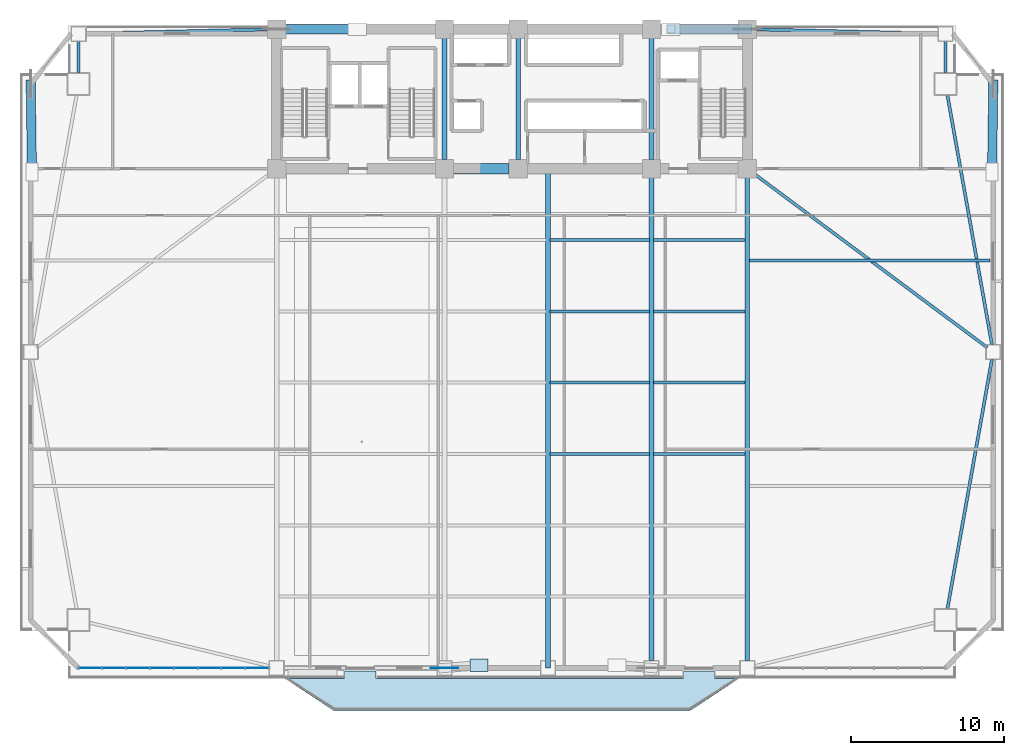
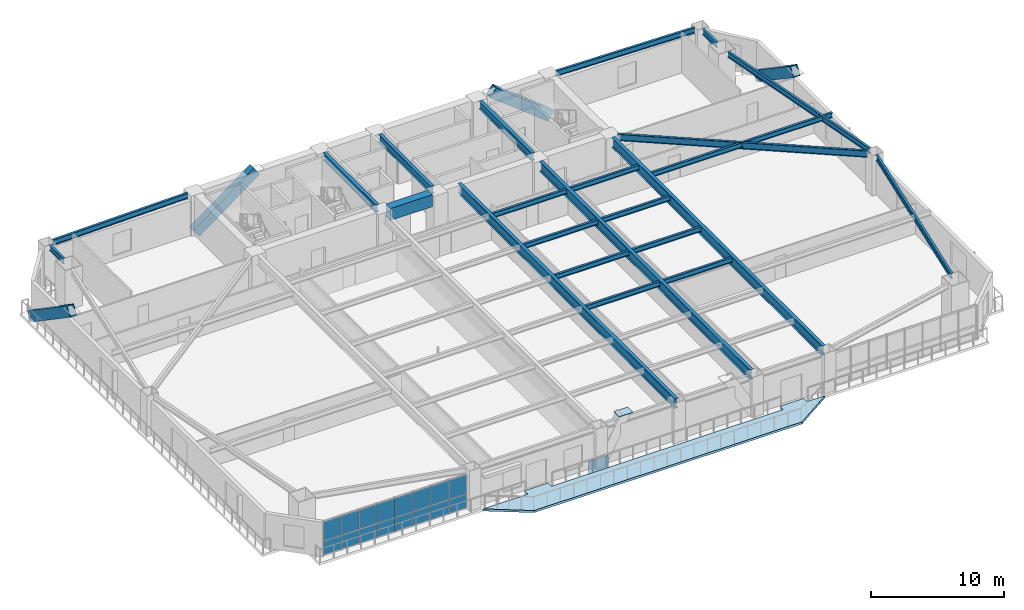
# One storey, part 8 of 18: 23 beams, 18 plates, 4 members, 1 slab, 1 element without a shape of its own.
"""IFC4 building model written with IfcOpenShell, lengths in metres."""

from ifc_helpers import new_model, si_unit, direction, frame, origin, origin_2d, place, context, subcontext, project, spatial, polyline, rectangle, hollow_rectangle, i_section, outline, extrude, source, transform, mapped, material, layer, layer_set, material_profile, profile_set, type_object, element, aggregate, save


model = new_model("IFC4")

# Units and contexts
model_context = context("Model", 3, precision=1e-05, world=origin(), true_north=direction((0.0, 1.0)))
body_context = subcontext(model_context, "Body", "Model", "MODEL_VIEW")
ifc_project = project(units=[si_unit("LENGTHUNIT", "METRE"), si_unit("AREAUNIT", "SQUARE_METRE"), si_unit("VOLUMEUNIT", "CUBIC_METRE"), si_unit("PLANEANGLEUNIT", "RADIAN"), si_unit("MASSUNIT", "GRAM", prefix="KILO")], contexts=[model_context])

# Site, building, storey
site_placement = place(None, origin())
site = spatial("IfcSite", under=ifc_project, at=site_placement, CompositionType="ELEMENT")
building_placement = place(site_placement, origin())
building = spatial("IfcBuilding", under=site, at=building_placement, Name="Giltprow Tower", CompositionType="ELEMENT")
storey_placement = place(building_placement, frame((0.0, 0.0, 61.10009765625)))
storey = spatial("IfcBuildingStorey", under=building, at=storey_placement, Name="L15", CompositionType="ELEMENT", Elevation=61.10009765625)

# Beams
ifc_material_1 = material(Name="Concrete C60", Category="concrete")
ifc_material_profile_1 = material_profile(ifc_material_1, rectangle(XDim=0.699951171875, YDim=1.10009765625, at=origin_2d()), Name="RC 1100x700")
ifc_profile_set_1 = profile_set([ifc_material_profile_1], Name="Concrete C60")
beam_type_1 = type_object("IfcBeamType", Name="BM-CPL-RC1100", PredefinedType="LINTEL", material=ifc_profile_set_1)
shared_shape_1 = source(origin(), body_context, "Body", "SweptSolid", [
    extrude(rectangle(XDim=0.699951171875, YDim=1.10009765625, at=origin_2d()), origin(), (0.0, 0.0, 1.0), 3.6298828125),
])
beam_1_placement = place(storey_placement, frame((31.385009765625, 37.449951171875, 3.1298828125), z_axis=(1.0, 0.0, 0.0), x_axis=(0.0, 1.0, 0.0)))
element("IfcBeam", 1, at=beam_1_placement, inside=storey, type_object=beam_type_1, Name="L15 Core Coupling Beam CB-1", PredefinedType="LINTEL", context=body_context, shape_type="MappedRepresentation", body=[
    mapped(shared_shape_1, transform((0.0, 0.0, 0.0), x_axis=(1.0, 0.0, 0.0), y_axis=(0.0, 1.0, 0.0), z_axis=(0.0, 0.0, 1.0), scale=1.0)),
])
ifc_material_2 = material(Name="Structural steel Q355B", Category="steel")
ifc_material_profile_2 = material_profile(ifc_material_2, i_section(OverallWidth=0.300048828125, OverallDepth=0.699951171875, WebThickness=0.012939453125, FlangeThickness=0.02392578125, at=origin_2d()), Name="HN 700x300x13x24")
ifc_profile_set_2 = profile_set([ifc_material_profile_2], Name="Structural steel Q355B")
beam_type_2 = type_object("IfcBeamType", Name="BM-GIRD-HN700", PredefinedType="BEAM", material=ifc_profile_set_2)
shared_shape_2 = source(origin(), body_context, "Body", "SweptSolid", [
    extrude(i_section(OverallWidth=0.300048828125, OverallDepth=0.699951171875, WebThickness=0.012939453125, FlangeThickness=0.02392578125, at=origin_2d()), origin(), (0.0, 0.0, 1.0), 7.93017578125),
])
for number, where, z_axis, x_axis, name in (
    (2, (30.800048828125, 38.034912109375, 3.329833984375), (0.0, 1.0, 0.0), (-1.0, 0.0, 0.0), "L15 Core Tie Girder M1"),
    (3, (35.60009765625, 38.034912109375, 3.329833984375), (0.0, 1.0, 0.0), (-1.0, 0.0, 0.0), "L15 Core Tie Girder M2"),
    (4, (44.300048828125, 38.034912109375, 3.329833984375), (0.0, 1.0, 0.0), (-1.0, 0.0, 0.0), "L15 Core Tie Girder M3"),
):
    element("IfcBeam", number, at=place(storey_placement, frame(where, z_axis=z_axis, x_axis=x_axis)), inside=storey, type_object=beam_type_2, Name=name, PredefinedType="BEAM", context=body_context, shape_type="MappedRepresentation", body=[
        mapped(shared_shape_2, transform((0.0, 0.0, 0.0), x_axis=(1.0, 0.0, 0.0), y_axis=(0.0, 1.0, 0.0), z_axis=(0.0, 0.0, 1.0), scale=1.0)),
    ])
ifc_material_profile_3 = material_profile(ifc_material_2, i_section(OverallWidth=0.199951171875, OverallDepth=0.449951171875, WebThickness=0.009033203125, FlangeThickness=0.013916015625, at=origin_2d()), Name="HN 450x200x9x14")
ifc_profile_set_3 = profile_set([ifc_material_profile_3], Name="Structural steel Q355B")
beam_type_3 = type_object("IfcBeamType", Name="BM-JOIST-HN450", PredefinedType="JOIST", material=ifc_profile_set_3)
shared_shape_3 = source(origin(), body_context, "Body", "SweptSolid", [
    extrude(i_section(OverallWidth=0.199951171875, OverallDepth=0.449951171875, WebThickness=0.009033203125, FlangeThickness=0.013916015625, at=origin_2d()), origin(), (0.0, 0.0, 1.0), 6.4599609375),
])
for number, where, z_axis, x_axis, name in (
    (5, (37.695068359375, 18.840087890625, 3.454833984375), (1.0, 0.0, 0.0), (0.0, 1.0, 0.0), "L15 Composite Floor Joist 3-3"),
    (6, (37.695068359375, 23.491943359375, 3.454833984375), (1.0, 0.0, 0.0), (0.0, 1.0, 0.0), "L15 Composite Floor Joist 4-3"),
    (7, (37.695068359375, 28.14501953125, 3.454833984375), (1.0, 0.0, 0.0), (0.0, 1.0, 0.0), "L15 Composite Floor Joist 5-3"),
    (8, (37.695068359375, 32.797119140625, 3.454833984375), (1.0, 0.0, 0.0), (0.0, 1.0, 0.0), "L15 Composite Floor Joist 6-3"),
):
    element("IfcBeam", number, at=place(storey_placement, frame(where, z_axis=z_axis, x_axis=x_axis)), inside=storey, type_object=beam_type_3, Name=name, PredefinedType="JOIST", context=body_context, shape_type="MappedRepresentation", body=[
        mapped(shared_shape_3, transform((0.0, 0.0, 0.0), x_axis=(1.0, 0.0, 0.0), y_axis=(0.0, 1.0, 0.0), z_axis=(0.0, 0.0, 1.0), scale=1.0)),
    ])
shared_shape_4 = source(origin(), body_context, "Body", "SweptSolid", [
    extrude(i_section(OverallWidth=0.199951171875, OverallDepth=0.449951171875, WebThickness=0.009033203125, FlangeThickness=0.013916015625, at=origin_2d()), origin(), (0.0, 0.0, 1.0), 5.9599609375),
])
for number, where, z_axis, x_axis, name in (
    (9, (44.445068359375, 18.840087890625, 3.454833984375), (1.0, 0.0, 0.0), (0.0, 1.0, 0.0), "L15 Composite Floor Joist 3-4"),
    (10, (44.445068359375, 23.491943359375, 3.454833984375), (1.0, 0.0, 0.0), (0.0, 1.0, 0.0), "L15 Composite Floor Joist 4-4"),
    (11, (44.445068359375, 28.14501953125, 3.454833984375), (1.0, 0.0, 0.0), (0.0, 1.0, 0.0), "L15 Composite Floor Joist 5-4"),
    (12, (44.445068359375, 32.797119140625, 3.454833984375), (1.0, 0.0, 0.0), (0.0, 1.0, 0.0), "L15 Composite Floor Joist 6-4"),
):
    element("IfcBeam", number, at=place(storey_placement, frame(where, z_axis=z_axis, x_axis=x_axis)), inside=storey, type_object=beam_type_3, Name=name, PredefinedType="JOIST", context=body_context, shape_type="MappedRepresentation", body=[
        mapped(shared_shape_4, transform((0.0, 0.0, 0.0), x_axis=(1.0, 0.0, 0.0), y_axis=(0.0, 1.0, 0.0), z_axis=(0.0, 0.0, 1.0), scale=1.0)),
    ])
ifc_material_profile_4 = material_profile(ifc_material_2, i_section(OverallWidth=0.300048828125, OverallDepth=0.89990234375, WebThickness=0.01611328125, FlangeThickness=0.028076171875, at=origin_2d()), Name="HN 900x300x16x28")
ifc_profile_set_4 = profile_set([ifc_material_profile_4], Name="Structural steel Q355B")
beam_type_4 = type_object("IfcBeamType", Name="BM-GIRD-HN900", PredefinedType="BEAM", material=ifc_profile_set_4)
shared_shape_5 = source(origin(), body_context, "Body", "SweptSolid", [
    extrude(i_section(OverallWidth=0.300048828125, OverallDepth=0.89990234375, WebThickness=0.01611328125, FlangeThickness=0.028076171875, at=origin_2d()), origin(), (0.0, 0.0, 1.0), 32.56787109375),
])
beam_2_placement = place(storey_placement, frame((37.550048828125, 4.882080078125, 3.22998046875), z_axis=(0.0, 1.0, 0.0), x_axis=(-1.0, 0.0, 0.0)))
element("IfcBeam", 13, at=beam_2_placement, inside=storey, type_object=beam_type_4, Name="L15 Central Lease Girder SMID", PredefinedType="BEAM", context=body_context, shape_type="MappedRepresentation", body=[
    mapped(shared_shape_5, transform((0.0, 0.0, 0.0), x_axis=(1.0, 0.0, 0.0), y_axis=(0.0, 1.0, 0.0), z_axis=(0.0, 0.0, 1.0), scale=1.0)),
])
shared_shape_6 = source(origin(), body_context, "Body", "SweptSolid", [
    extrude(i_section(OverallWidth=0.199951171875, OverallDepth=0.449951171875, WebThickness=0.009033203125, FlangeThickness=0.013916015625, at=origin_2d()), origin(), (0.0, 0.0, 1.0), 15.680908203125),
])
beam_3_placement = place(storey_placement, frame((50.695068359375, 31.470947265625, 3.454833984375), z_axis=(1.0, 0.0, 0.0), x_axis=(0.0, 1.0, 0.0)))
element("IfcBeam", 14, at=beam_3_placement, inside=storey, type_object=beam_type_3, Name="L15 East Wing Floor Joist 2", PredefinedType="JOIST", context=body_context, shape_type="MappedRepresentation", body=[
    mapped(shared_shape_6, transform((0.0, 0.0, 0.0), x_axis=(1.0, 0.0, 0.0), y_axis=(0.0, 1.0, 0.0), z_axis=(0.0, 0.0, 1.0), scale=1.0)),
])
ifc_material_profile_5 = material_profile(ifc_material_2, i_section(OverallWidth=0.199951171875, OverallDepth=0.5, WebThickness=0.010009765625, FlangeThickness=0.01611328125, at=origin_2d()), Name="HN 500x200x10x16")
ifc_profile_set_5 = profile_set([ifc_material_profile_5], Name="Structural steel Q355B")
beam_type_5 = type_object("IfcBeamType", Name="BM-SPAN-HN500", PredefinedType="SPANDREL", material=ifc_profile_set_5)
shared_shape_7 = source(origin(), body_context, "Body", "SweptSolid", [
    extrude(i_section(OverallWidth=0.199951171875, OverallDepth=0.5, WebThickness=0.010009765625, FlangeThickness=0.01611328125, at=origin_2d()), origin(), (0.0, 0.0, 1.0), 16.54345703125),
])
for number, where, z_axis, x_axis, name in (
    (15, (63.60302734375, 8.72802734375, 3.429931640625), (0.175776847753, 0.984430038039, 0.0), (-0.984430038039, 0.175776847753, 0.0), "L15 Perimeter Spandrel Beam MC_SE-E_MID"),
    (16, (66.510986328125, 25.968017578125, 3.429931640625), (-0.175776847753, 0.984430038039, 0.0), (-0.984430038039, -0.175776847753, 0.0), "L15 Perimeter Spandrel Beam E_MID-MC_NE"),
):
    element("IfcBeam", number, at=place(storey_placement, frame(where, z_axis=z_axis, x_axis=x_axis)), inside=storey, type_object=beam_type_5, Name=name, PredefinedType="SPANDREL", context=body_context, shape_type="MappedRepresentation", body=[
        mapped(shared_shape_7, transform((0.0, 0.0, 0.0), x_axis=(1.0, 0.0, 0.0), y_axis=(0.0, 1.0, 0.0), z_axis=(0.0, 0.0, 1.0), scale=1.0)),
    ])
shared_shape_8 = source(origin(), body_context, "Body", "SweptSolid", [
    extrude(i_section(OverallWidth=0.199951171875, OverallDepth=0.5, WebThickness=0.010009765625, FlangeThickness=0.01611328125, at=origin_2d()), origin(), (0.0, 0.0, 1.0), 2.052001953125),
])
for number, where, z_axis, x_axis, name in (
    (17, (63.47412109375, 43.712890625, 3.429931640625), (0.0, 1.0, 0.0), (-1.0, 0.0, 0.0), "L15 Perimeter Spandrel Beam MC_NE-N_E"),
    (18, (6.927001953125, 45.764892578125, 3.429931640625), (0.0, -1.0, 0.0), (1.0, 0.0, 0.0), "L15 Perimeter Spandrel Beam N_W-MC_NW"),
):
    element("IfcBeam", number, at=place(storey_placement, frame(where, z_axis=z_axis, x_axis=x_axis)), inside=storey, type_object=beam_type_5, Name=name, PredefinedType="SPANDREL", context=body_context, shape_type="MappedRepresentation", body=[
        mapped(shared_shape_8, transform((0.0, 0.0, 0.0), x_axis=(1.0, 0.0, 0.0), y_axis=(0.0, 1.0, 0.0), z_axis=(0.0, 0.0, 1.0), scale=1.0)),
    ])
shared_shape_9 = source(origin(), body_context, "Body", "SweptSolid", [
    extrude(i_section(OverallWidth=0.199951171875, OverallDepth=0.5, WebThickness=0.010009765625, FlangeThickness=0.01611328125, at=origin_2d()), origin(), (0.0, 0.0, 1.0), 11.85595703125),
])
beam_4_placement = place(storey_placement, frame((7.412109375, 46.260986328125, 3.429931640625), z_axis=(0.999731149382, 0.02318682721, 0.0), x_axis=(-0.02318682721, 0.999731149382, 0.0)))
element("IfcBeam", 19, at=beam_4_placement, inside=storey, type_object=beam_type_5, Name="L15 North Wing Spandrel W", PredefinedType="SPANDREL", context=body_context, shape_type="MappedRepresentation", body=[
    mapped(shared_shape_9, transform((0.0, 0.0, 0.0), x_axis=(1.0, 0.0, 0.0), y_axis=(0.0, 1.0, 0.0), z_axis=(0.0, 0.0, 1.0), scale=1.0)),
])
shared_shape_10 = source(origin(), body_context, "Body", "SweptSolid", [
    extrude(i_section(OverallWidth=0.199951171875, OverallDepth=0.5, WebThickness=0.010009765625, FlangeThickness=0.01611328125, at=origin_2d()), origin(), (0.0, 0.0, 1.0), 11.857177734375),
])
beam_5_placement = place(storey_placement, frame((51.135009765625, 46.535888671875, 3.429931640625), z_axis=(0.999731204728, -0.023184440757, 0.0), x_axis=(0.023184440757, 0.999731204728, 0.0)))
element("IfcBeam", 20, at=beam_5_placement, inside=storey, type_object=beam_type_5, Name="L15 North Wing Spandrel E", PredefinedType="SPANDREL", context=body_context, shape_type="MappedRepresentation", body=[
    mapped(shared_shape_10, transform((0.0, 0.0, 0.0), x_axis=(1.0, 0.0, 0.0), y_axis=(0.0, 1.0, 0.0), z_axis=(0.0, 0.0, 1.0), scale=1.0)),
])
shared_shape_11 = source(origin(), body_context, "Body", "SweptSolid", [
    extrude(i_section(OverallWidth=0.300048828125, OverallDepth=0.89990234375, WebThickness=0.01611328125, FlangeThickness=0.028076171875, at=origin_2d()), origin(), (0.0, 0.0, 1.0), 31.498046875),
])
for number, where, z_axis, x_axis, name in (
    (21, (44.300048828125, 5.366943359375, 3.22998046875), (0.0, 1.0, 0.0), (-1.0, 0.0, 0.0), "L15 Primary Lease Girder S3"),
    (22, (50.550048828125, 5.366943359375, 3.22998046875), (0.0, 1.0, 0.0), (-1.0, 0.0, 0.0), "L15 Primary Lease Girder S4"),
):
    element("IfcBeam", number, at=place(storey_placement, frame(where, z_axis=z_axis, x_axis=x_axis)), inside=storey, type_object=beam_type_4, Name=name, PredefinedType="BEAM", context=body_context, shape_type="MappedRepresentation", body=[
        mapped(shared_shape_11, transform((0.0, 0.0, 0.0), x_axis=(1.0, 0.0, 0.0), y_axis=(0.0, 1.0, 0.0), z_axis=(0.0, 0.0, 1.0), scale=1.0)),
    ])
ifc_material_profile_6 = material_profile(ifc_material_2, i_section(OverallWidth=0.199951171875, OverallDepth=0.60009765625, WebThickness=0.010986328125, FlangeThickness=0.01708984375, at=origin_2d()), Name="HN 600x200x11x17")
ifc_profile_set_6 = profile_set([ifc_material_profile_6], Name="Structural steel Q355B")
beam_type_6 = type_object("IfcBeamType", Name="BM-GIRD-HN600", PredefinedType="BEAM", material=ifc_profile_set_6)
shared_shape_12 = source(origin(), body_context, "Body", "SweptSolid", [
    extrude(i_section(OverallWidth=0.199951171875, OverallDepth=0.60009765625, WebThickness=0.010986328125, FlangeThickness=0.01708984375, at=origin_2d()), origin(), (0.0, 0.0, 1.0), 18.94189453125),
])
beam_6_placement = place(storey_placement, frame((66.20703125, 25.781005859375, 3.3798828125), z_axis=(-0.801818286045, 0.59756793435, 0.0), x_axis=(-0.59756793435, -0.801818286045, 0.0)))
element("IfcBeam", 23, at=beam_6_placement, inside=storey, type_object=beam_type_6, Name="L15 East Wing Primary Girder", PredefinedType="BEAM", context=body_context, shape_type="MappedRepresentation", body=[
    mapped(shared_shape_12, transform((0.0, 0.0, 0.0), x_axis=(1.0, 0.0, 0.0), y_axis=(0.0, 1.0, 0.0), z_axis=(0.0, 0.0, 1.0), scale=1.0)),
])

# Members
ifc_material_3 = material(Name="Structural steel Q420GJC", Category="steel")
ifc_material_profile_7 = material_profile(ifc_material_3, hollow_rectangle(XDim=0.60009765625, YDim=0.89990234375, WallThickness=0.0400390625, at=origin_2d()), Name="RHS 900x600x40")
ifc_profile_set_7 = profile_set([ifc_material_profile_7], Name="Structural steel Q420GJC")
member_type = type_object("IfcMemberType", Name="MBR-MEGA-RHS900", PredefinedType="BRACE", material=ifc_profile_set_7)
shared_shape_13 = source(origin(), body_context, "Body", "SweptSolid", [
    extrude(hollow_rectangle(XDim=0.60009765625, YDim=0.89990234375, WallThickness=0.0400390625, at=origin_2d()), origin(), (0.0, 0.0, 1.0), 6.5400390625),
])
member_1_placement = place(storey_placement, frame((19.85009765625, 46.550048828125, -0.14013671875), z_axis=(0.802733126154, 0.0, 0.596338434259), x_axis=(0.0, 1.0, 0.0)))
element("IfcMember", 24, at=member_1_placement, inside=storey, type_object=member_type, Name="L15 Chevron Mega-Brace N-L", PredefinedType="BRACE", context=body_context, shape_type="MappedRepresentation", body=[
    mapped(shared_shape_13, transform((0.0, 0.0, 0.0), x_axis=(1.0, 0.0, 0.0), y_axis=(0.0, 1.0, 0.0), z_axis=(0.0, 0.0, 1.0), scale=1.0)),
])
shared_shape_14 = source(origin(), body_context, "Body", "SweptSolid", [
    extrude(hollow_rectangle(XDim=0.60009765625, YDim=0.89990234375, WallThickness=0.0400390625, at=origin_2d()), origin(), (0.0, 0.0, 1.0), 6.327880859375),
])
member_2_placement = place(storey_placement, frame((50.550048828125, 46.550048828125, -0.14013671875), z_axis=(-0.787483018661, 0.0, 0.61633634918), x_axis=(0.0, -1.0, 0.0)))
element("IfcMember", 25, at=member_2_placement, inside=storey, type_object=member_type, Name="L15 Chevron Mega-Brace N-R", PredefinedType="BRACE", context=body_context, shape_type="MappedRepresentation", body=[
    mapped(shared_shape_14, transform((0.0, 0.0, 0.0), x_axis=(1.0, 0.0, 0.0), y_axis=(0.0, 1.0, 0.0), z_axis=(0.0, 0.0, 1.0), scale=1.0)),
])
shared_shape_15 = source(origin(), body_context, "Body", "SweptSolid", [
    extrude(hollow_rectangle(XDim=0.60009765625, YDim=0.89990234375, WallThickness=0.0400390625, at=origin_2d()), origin(), (0.0, 0.0, 1.0), 6.940673828125),
])
for number, where, z_axis, x_axis, name in (
    (26, (3.804931640625, 42.97802734375, 0.0), (0.011255984563, -0.827138990645, 0.56188467942), (0.999907419466, 0.013607075238, 0.0), "L15 Chevron Mega-Brace W-R"),
    (27, (66.595947265625, 42.97802734375, 0.0), (-0.011220814047, -0.827139317621, 0.561884901539), (0.999907997111, -0.013564560964, 0.0), "L15 Chevron Mega-Brace E-R"),
):
    element("IfcMember", number, at=place(storey_placement, frame(where, z_axis=z_axis, x_axis=x_axis)), inside=storey, type_object=member_type, Name=name, PredefinedType="BRACE", context=body_context, shape_type="MappedRepresentation", body=[
        mapped(shared_shape_15, transform((0.0, 0.0, 0.0), x_axis=(1.0, 0.0, 0.0), y_axis=(0.0, 1.0, 0.0), z_axis=(0.0, 0.0, 1.0), scale=1.0)),
    ])

# Slab
ifc_material_4 = material(Name="Concrete C40", Category="concrete")
ifc_layer_1 = layer(ifc_material_4, 0.199951171875, Name="Concrete C40")
ifc_layer_set_1 = layer_set([ifc_layer_1], Name="Concrete C40")
slab_type = type_object("IfcSlabType", Name="SLB-BALC-BRONZE-200", PredefinedType="FLOOR", material=ifc_layer_set_1)
slab_placement = place(storey_placement, frame((0.0, 0.0, -0.2001953125)))
element("IfcSlab", 28, at=slab_placement, inside=storey, type_object=slab_type, Name="L15 Bronze Prow Waterfront Balcony Slab", PredefinedType="FLOOR", context=body_context, shape_type="SweptSolid", body=[
    extrude(outline(polyline([(50.0, 4.181884765625), (46.800048828125, 2.08203125), (23.60009765625, 2.08203125), (20.39990234375, 4.181884765625), (24.280029296875, 4.181884765625), (24.280029296875, 4.681884765625), (26.320068359375, 4.681884765625), (26.320068359375, 4.181884765625), (46.3798828125, 4.181884765625), (46.3798828125, 4.681884765625), (48.419921875, 4.681884765625), (48.419921875, 4.181884765625), (50.0, 4.181884765625)])), origin(), (0.0, 0.0, 1.0), 0.2001953125),
])

# Plates
plate_type_1 = type_object("IfcPlateType", Name="PLT-NODE-MBN1", PredefinedType="USERDEFINED", material=ifc_material_3)
shared_shape_16 = source(origin(), body_context, "Body", "SweptSolid", [
    extrude(rectangle(XDim=1.800048828125, YDim=0.050048828125, at=origin_2d()), origin(), (0.0, 0.0, 1.0), 1.14990234375),
])
plate_1_placement = place(storey_placement, frame((30.800048828125, 4.882080078125, -0.574951171875), z_axis=(0.0, 0.0, 1.0), x_axis=(1.0, 0.0, 0.0)))
element("IfcPlate", 29, at=plate_1_placement, inside=storey, type_object=plate_type_1, Name="Mega-Brace Node L15-S-LA", ObjectType="GUSSET", PredefinedType="USERDEFINED", context=body_context, shape_type="MappedRepresentation", body=[
    mapped(shared_shape_16, transform((0.0, 0.0, 0.0), x_axis=(1.0, 0.0, 0.0), y_axis=(0.0, 1.0, 0.0), z_axis=(0.0, 0.0, 1.0), scale=1.0)),
])
plate_type_2 = type_object("IfcPlateType", Name="PLT-CAP-SEAL", PredefinedType="USERDEFINED", material=ifc_material_3)
shared_shape_17 = source(origin(), body_context, "Body", "SweptSolid", [
    extrude(rectangle(XDim=1.199951171875, YDim=0.800048828125, at=origin_2d()), origin(), (0.0, 0.0, 1.0), 0.034912109375),
])
plate_2_placement = place(storey_placement, frame((33.050048828125, 5.05810546875, 3.88232421875), z_axis=(0.0, 0.0, 1.0), x_axis=(1.0, 0.0, 0.0)))
element("IfcPlate", 30, at=plate_2_placement, inside=storey, type_object=plate_type_2, Name="Mega-Brace Node L15-S-LB", ObjectType="SPLICE", PredefinedType="USERDEFINED", context=body_context, shape_type="MappedRepresentation", body=[
    mapped(shared_shape_17, transform((0.0, 0.0, 0.0), x_axis=(1.0, 0.0, 0.0), y_axis=(0.0, 1.0, 0.0), z_axis=(0.0, 0.0, 1.0), scale=1.0)),
])

# Curtain wall, plates
ifc_material_5 = material(Name="Anodized bronze", Category="metal")
ifc_layer_2 = layer(ifc_material_5, 0.179931640625, Name="Anodized bronze")
ifc_layer_set_2 = layer_set([ifc_layer_2], Name="Anodized bronze")
curtain_wall_type = type_object("IfcCurtainWallType", Name="CW-OFF-RECESSED", PredefinedType="NOTDEFINED", material=ifc_layer_set_2)
curtain_wall_placement = place(storey_placement, origin())
curtain_wall = element("IfcCurtainWall", 31, at=curtain_wall_placement, inside=storey, type_object=curtain_wall_type, Name="L15 South Recessed Curtain Wall 1", PredefinedType="NOTDEFINED")
ifc_material_6 = material(Name="Insulated glass", Category="glass")
plate_type_3 = type_object("IfcPlateType", Name="CW-PANEL-IGU-28", PredefinedType="CURTAIN_PANEL", material=ifc_material_6)
shared_shape_18 = source(origin(), body_context, "Body", "SweptSolid", [
    extrude(rectangle(XDim=1.52294921875, YDim=0.028076171875, at=origin_2d()), origin(), (0.0, 0.0, 1.0), 1.259033203125),
])
plate_3_placement = place(storey_placement, frame((7.702880859375, 4.882080078125, 0.05419921875), z_axis=(0.0, 0.0, 1.0), x_axis=(1.0, 0.0, 0.0)))
plate_3 = element("IfcPlate", 32, at=plate_3_placement, type_object=plate_type_3, Name="L15 South Recessed Curtain Wall 1 Glazing Panel 1-1", PredefinedType="CURTAIN_PANEL", context=body_context, shape_type="MappedRepresentation", body=[
    mapped(shared_shape_18, transform((0.0, 0.0, 0.0), x_axis=(1.0, 0.0, 0.0), y_axis=(0.0, 1.0, 0.0), z_axis=(0.0, 0.0, 1.0), scale=1.0)),
])
plate_4_placement = place(storey_placement, frame((9.256103515625, 4.882080078125, 0.05419921875), z_axis=(0.0, 0.0, 1.0), x_axis=(1.0, 0.0, 0.0)))
plate_4 = element("IfcPlate", 33, at=plate_4_placement, type_object=plate_type_3, Name="L15 South Recessed Curtain Wall 1 Glazing Panel 2-1", PredefinedType="CURTAIN_PANEL", context=body_context, shape_type="MappedRepresentation", body=[
    mapped(shared_shape_18, transform((0.0, 0.0, 0.0), x_axis=(1.0, 0.0, 0.0), y_axis=(0.0, 1.0, 0.0), z_axis=(0.0, 0.0, 1.0), scale=1.0)),
])
plate_5_placement = place(storey_placement, frame((10.80908203125, 4.882080078125, 0.05419921875), z_axis=(0.0, 0.0, 1.0), x_axis=(1.0, 0.0, 0.0)))
plate_5 = element("IfcPlate", 34, at=plate_5_placement, type_object=plate_type_3, Name="L15 South Recessed Curtain Wall 1 Glazing Panel 3-1", PredefinedType="CURTAIN_PANEL", context=body_context, shape_type="MappedRepresentation", body=[
    mapped(shared_shape_18, transform((0.0, 0.0, 0.0), x_axis=(1.0, 0.0, 0.0), y_axis=(0.0, 1.0, 0.0), z_axis=(0.0, 0.0, 1.0), scale=1.0)),
])
plate_6_placement = place(storey_placement, frame((12.362060546875, 4.882080078125, 0.05419921875), z_axis=(0.0, 0.0, 1.0), x_axis=(1.0, 0.0, 0.0)))
plate_6 = element("IfcPlate", 35, at=plate_6_placement, type_object=plate_type_3, Name="L15 South Recessed Curtain Wall 1 Glazing Panel 4-1", PredefinedType="CURTAIN_PANEL", context=body_context, shape_type="MappedRepresentation", body=[
    mapped(shared_shape_18, transform((0.0, 0.0, 0.0), x_axis=(1.0, 0.0, 0.0), y_axis=(0.0, 1.0, 0.0), z_axis=(0.0, 0.0, 1.0), scale=1.0)),
])
plate_7_placement = place(storey_placement, frame((13.9150390625, 4.882080078125, 0.05419921875), z_axis=(0.0, 0.0, 1.0), x_axis=(1.0, 0.0, 0.0)))
plate_7 = element("IfcPlate", 36, at=plate_7_placement, type_object=plate_type_3, Name="L15 South Recessed Curtain Wall 1 Glazing Panel 5-1", PredefinedType="CURTAIN_PANEL", context=body_context, shape_type="MappedRepresentation", body=[
    mapped(shared_shape_18, transform((0.0, 0.0, 0.0), x_axis=(1.0, 0.0, 0.0), y_axis=(0.0, 1.0, 0.0), z_axis=(0.0, 0.0, 1.0), scale=1.0)),
])
plate_8_placement = place(storey_placement, frame((15.468017578125, 4.882080078125, 0.05419921875), z_axis=(0.0, 0.0, 1.0), x_axis=(1.0, 0.0, 0.0)))
plate_8 = element("IfcPlate", 37, at=plate_8_placement, type_object=plate_type_3, Name="L15 South Recessed Curtain Wall 1 Glazing Panel 6-1", PredefinedType="CURTAIN_PANEL", context=body_context, shape_type="MappedRepresentation", body=[
    mapped(shared_shape_18, transform((0.0, 0.0, 0.0), x_axis=(1.0, 0.0, 0.0), y_axis=(0.0, 1.0, 0.0), z_axis=(0.0, 0.0, 1.0), scale=1.0)),
])
plate_9_placement = place(storey_placement, frame((17.02099609375, 4.882080078125, 0.05419921875), z_axis=(0.0, 0.0, 1.0), x_axis=(1.0, 0.0, 0.0)))
plate_9 = element("IfcPlate", 38, at=plate_9_placement, type_object=plate_type_3, Name="L15 South Recessed Curtain Wall 1 Glazing Panel 7-1", PredefinedType="CURTAIN_PANEL", context=body_context, shape_type="MappedRepresentation", body=[
    mapped(shared_shape_18, transform((0.0, 0.0, 0.0), x_axis=(1.0, 0.0, 0.0), y_axis=(0.0, 1.0, 0.0), z_axis=(0.0, 0.0, 1.0), scale=1.0)),
])
plate_10_placement = place(storey_placement, frame((18.573974609375, 4.882080078125, 0.05419921875), z_axis=(0.0, 0.0, 1.0), x_axis=(1.0, 0.0, 0.0)))
plate_10 = element("IfcPlate", 39, at=plate_10_placement, type_object=plate_type_3, Name="L15 South Recessed Curtain Wall 1 Glazing Panel 8-1", PredefinedType="CURTAIN_PANEL", context=body_context, shape_type="MappedRepresentation", body=[
    mapped(shared_shape_18, transform((0.0, 0.0, 0.0), x_axis=(1.0, 0.0, 0.0), y_axis=(0.0, 1.0, 0.0), z_axis=(0.0, 0.0, 1.0), scale=1.0)),
])
shared_shape_19 = source(origin(), body_context, "Body", "SweptSolid", [
    extrude(rectangle(XDim=1.52294921875, YDim=0.028076171875, at=origin_2d()), origin(), (0.0, 0.0, 1.0), 1.764892578125),
])
plate_11_placement = place(storey_placement, frame((7.702880859375, 4.882080078125, 1.34130859375), z_axis=(0.0, 0.0, 1.0), x_axis=(1.0, 0.0, 0.0)))
plate_11 = element("IfcPlate", 40, at=plate_11_placement, type_object=plate_type_3, Name="L15 South Recessed Curtain Wall 1 Glazing Panel 1-2", PredefinedType="CURTAIN_PANEL", context=body_context, shape_type="MappedRepresentation", body=[
    mapped(shared_shape_19, transform((0.0, 0.0, 0.0), x_axis=(1.0, 0.0, 0.0), y_axis=(0.0, 1.0, 0.0), z_axis=(0.0, 0.0, 1.0), scale=1.0)),
])
plate_12_placement = place(storey_placement, frame((9.256103515625, 4.882080078125, 1.34130859375), z_axis=(0.0, 0.0, 1.0), x_axis=(1.0, 0.0, 0.0)))
plate_12 = element("IfcPlate", 41, at=plate_12_placement, type_object=plate_type_3, Name="L15 South Recessed Curtain Wall 1 Glazing Panel 2-2", PredefinedType="CURTAIN_PANEL", context=body_context, shape_type="MappedRepresentation", body=[
    mapped(shared_shape_19, transform((0.0, 0.0, 0.0), x_axis=(1.0, 0.0, 0.0), y_axis=(0.0, 1.0, 0.0), z_axis=(0.0, 0.0, 1.0), scale=1.0)),
])
plate_13_placement = place(storey_placement, frame((10.80908203125, 4.882080078125, 1.34130859375), z_axis=(0.0, 0.0, 1.0), x_axis=(1.0, 0.0, 0.0)))
plate_13 = element("IfcPlate", 42, at=plate_13_placement, type_object=plate_type_3, Name="L15 South Recessed Curtain Wall 1 Glazing Panel 3-2", PredefinedType="CURTAIN_PANEL", context=body_context, shape_type="MappedRepresentation", body=[
    mapped(shared_shape_19, transform((0.0, 0.0, 0.0), x_axis=(1.0, 0.0, 0.0), y_axis=(0.0, 1.0, 0.0), z_axis=(0.0, 0.0, 1.0), scale=1.0)),
])
plate_14_placement = place(storey_placement, frame((12.362060546875, 4.882080078125, 1.34130859375), z_axis=(0.0, 0.0, 1.0), x_axis=(1.0, 0.0, 0.0)))
plate_14 = element("IfcPlate", 43, at=plate_14_placement, type_object=plate_type_3, Name="L15 South Recessed Curtain Wall 1 Glazing Panel 4-2", PredefinedType="CURTAIN_PANEL", context=body_context, shape_type="MappedRepresentation", body=[
    mapped(shared_shape_19, transform((0.0, 0.0, 0.0), x_axis=(1.0, 0.0, 0.0), y_axis=(0.0, 1.0, 0.0), z_axis=(0.0, 0.0, 1.0), scale=1.0)),
])
plate_15_placement = place(storey_placement, frame((13.9150390625, 4.882080078125, 1.34130859375), z_axis=(0.0, 0.0, 1.0), x_axis=(1.0, 0.0, 0.0)))
plate_15 = element("IfcPlate", 44, at=plate_15_placement, type_object=plate_type_3, Name="L15 South Recessed Curtain Wall 1 Glazing Panel 5-2", PredefinedType="CURTAIN_PANEL", context=body_context, shape_type="MappedRepresentation", body=[
    mapped(shared_shape_19, transform((0.0, 0.0, 0.0), x_axis=(1.0, 0.0, 0.0), y_axis=(0.0, 1.0, 0.0), z_axis=(0.0, 0.0, 1.0), scale=1.0)),
])
plate_16_placement = place(storey_placement, frame((15.468017578125, 4.882080078125, 1.34130859375), z_axis=(0.0, 0.0, 1.0), x_axis=(1.0, 0.0, 0.0)))
plate_16 = element("IfcPlate", 45, at=plate_16_placement, type_object=plate_type_3, Name="L15 South Recessed Curtain Wall 1 Glazing Panel 6-2", PredefinedType="CURTAIN_PANEL", context=body_context, shape_type="MappedRepresentation", body=[
    mapped(shared_shape_19, transform((0.0, 0.0, 0.0), x_axis=(1.0, 0.0, 0.0), y_axis=(0.0, 1.0, 0.0), z_axis=(0.0, 0.0, 1.0), scale=1.0)),
])
plate_17_placement = place(storey_placement, frame((17.02099609375, 4.882080078125, 1.34130859375), z_axis=(0.0, 0.0, 1.0), x_axis=(1.0, 0.0, 0.0)))
plate_17 = element("IfcPlate", 46, at=plate_17_placement, type_object=plate_type_3, Name="L15 South Recessed Curtain Wall 1 Glazing Panel 7-2", PredefinedType="CURTAIN_PANEL", context=body_context, shape_type="MappedRepresentation", body=[
    mapped(shared_shape_19, transform((0.0, 0.0, 0.0), x_axis=(1.0, 0.0, 0.0), y_axis=(0.0, 1.0, 0.0), z_axis=(0.0, 0.0, 1.0), scale=1.0)),
])
plate_18_placement = place(storey_placement, frame((18.573974609375, 4.882080078125, 1.34130859375), z_axis=(0.0, 0.0, 1.0), x_axis=(1.0, 0.0, 0.0)))
plate_18 = element("IfcPlate", 47, at=plate_18_placement, type_object=plate_type_3, Name="L15 South Recessed Curtain Wall 1 Glazing Panel 8-2", PredefinedType="CURTAIN_PANEL", context=body_context, shape_type="MappedRepresentation", body=[
    mapped(shared_shape_19, transform((0.0, 0.0, 0.0), x_axis=(1.0, 0.0, 0.0), y_axis=(0.0, 1.0, 0.0), z_axis=(0.0, 0.0, 1.0), scale=1.0)),
])
aggregate(curtain_wall, [plate_3, plate_11, plate_4, plate_12, plate_5, plate_13, plate_6, plate_14, plate_7, plate_15, plate_8, plate_16, plate_9, plate_17, plate_10, plate_18])

save(model, "model.ifc")
